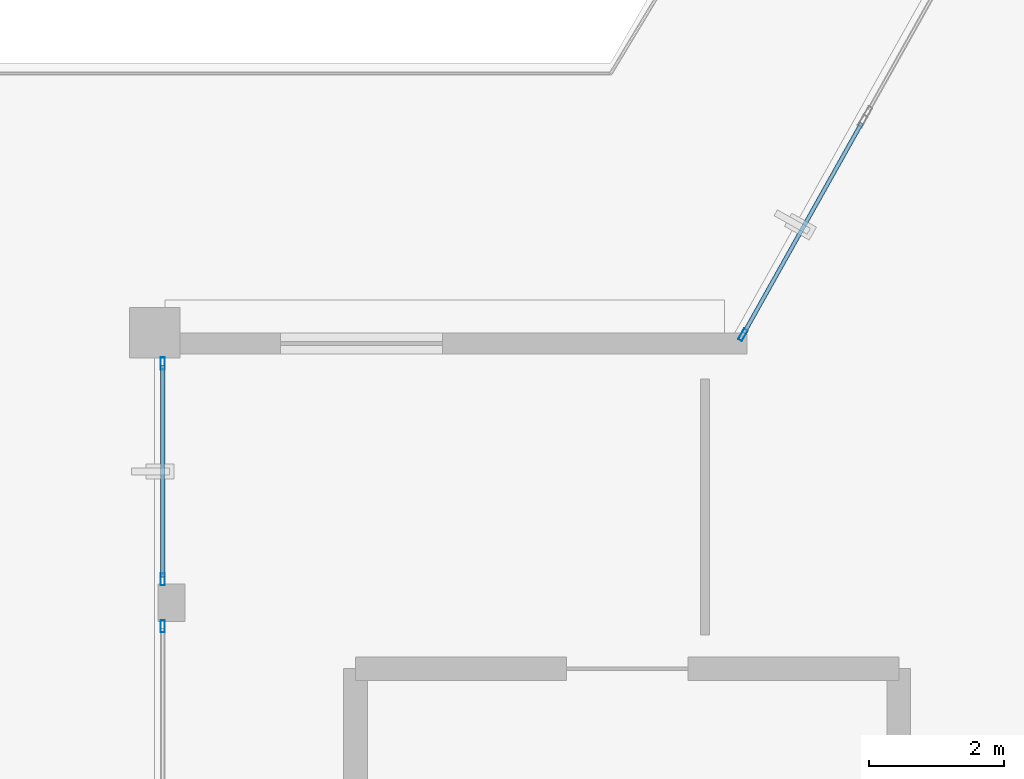
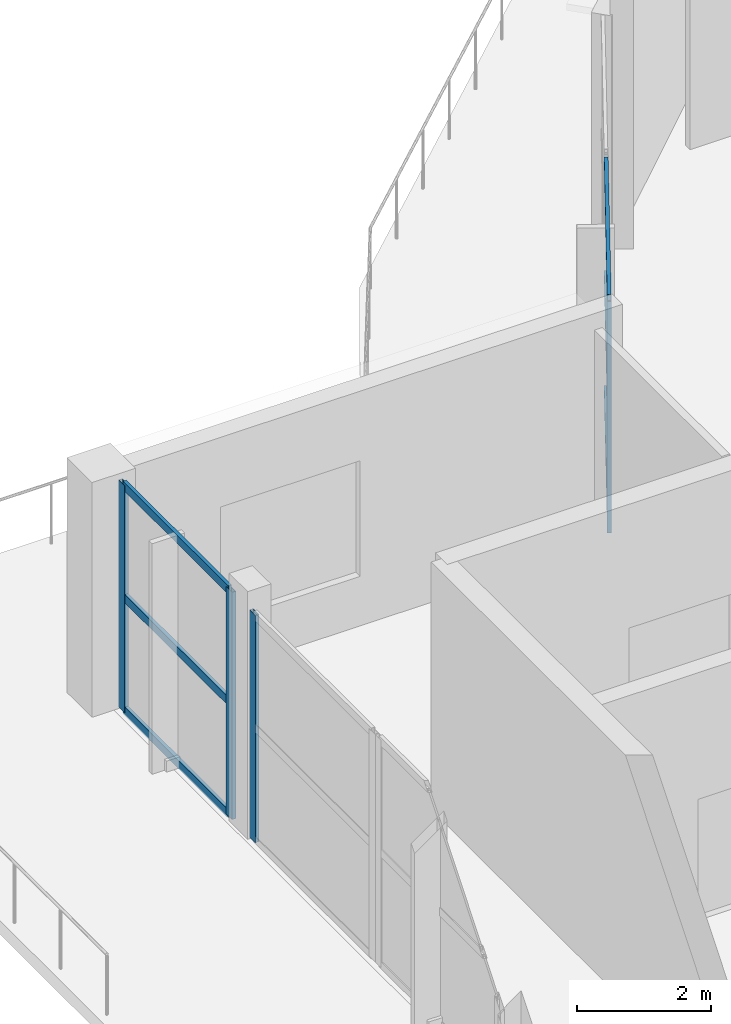
# One storey, part 40 of 123: 10 members, 3 elements without a shape of their own.
"""IFC4 building model written with IfcOpenShell, lengths in metres."""

from ifc_helpers import new_model, si_unit, direction, frame, origin, origin_2d, place, context, subcontext, project, spatial, hollow_rectangle, extrude, material, layer, layer_set, material_profile, profile_set, type_object, element, aggregate, save


model = new_model("IFC4")

# Units and contexts
model_context = context("Model", 3, precision=1e-05, world=origin(), true_north=direction((0.0, 1.0)))
body_context = subcontext(model_context, "Body", "Model", "MODEL_VIEW")
ifc_project = project(units=[si_unit("LENGTHUNIT", "METRE"), si_unit("AREAUNIT", "SQUARE_METRE"), si_unit("VOLUMEUNIT", "CUBIC_METRE"), si_unit("PLANEANGLEUNIT", "RADIAN"), si_unit("MASSUNIT", "GRAM", prefix="KILO")], contexts=[model_context])

# Site, building, storey
site_placement = place(None, origin())
site = spatial("IfcSite", under=ifc_project, at=site_placement, CompositionType="ELEMENT")
building_placement = place(site_placement, origin())
building = spatial("IfcBuilding", under=site, at=building_placement, Name="Kalgoora Escarpment Arena", CompositionType="ELEMENT")
storey_placement = place(building_placement, frame((0.0, 0.0, 9.89990234375)))
storey = spatial("IfcBuildingStorey", under=building, at=storey_placement, Name="L02", CompositionType="ELEMENT", Elevation=9.89990234375)

# Curtain wall, member
ifc_material_1 = material(Name=" Champagne anodised aluminium & double-glazed low-E", Category="aluminium")
ifc_layer_1 = layer(ifc_material_1, 0.162109375)
ifc_layer_set_1 = layer_set([ifc_layer_1], Name="CW-UNIT-08")
curtain_wall_type_1 = type_object("IfcCurtainWallType", Name="CW-UNIT-08", PredefinedType="NOTDEFINED", material=ifc_layer_set_1)
curtain_wall_1_placement = place(storey_placement, origin())
curtain_wall_1 = element("IfcCurtainWall", 1, at=curtain_wall_1_placement, inside=storey, type_object=curtain_wall_type_1, Name="L02 unitised facade curtain wall 067", PredefinedType="NOTDEFINED")
ifc_material_2 = material(Name="Anodised aluminium 6063-T6", Category="aluminium")
ifc_material_profile_1 = material_profile(ifc_material_2, hollow_rectangle(XDim=0.06494140625, YDim=0.179931640625, WallThickness=0.00390625, at=origin_2d()))
ifc_profile_set_1 = profile_set([ifc_material_profile_1], Name="Anodised aluminium 6063-T6")
member_type_1 = type_object("IfcMemberType", Name="MEM-CW-MULL-180", PredefinedType="MULLION", material=ifc_profile_set_1)
member_1_placement = place(storey_placement, frame((8.52001953125, 83.6533203125, 0.02001953125), z_axis=(0.0, 0.0, 1.0), x_axis=(-1.0, 0.0, 0.0)))
member_1 = element("IfcMember", 2, at=member_1_placement, type_object=member_type_1, Name="CW-08 mullion 2", PredefinedType="MULLION", context=body_context, shape_type="SweptSolid", body=[
    extrude(hollow_rectangle(XDim=0.06494140625, YDim=0.179931640625, WallThickness=0.00390625, at=origin_2d()), origin(), (0.0, 0.0, 1.0), 4.130126953125),
])
aggregate(curtain_wall_1, [member_1])

# Curtain wall, members
ifc_material_3 = material(Name=" Champagne anodised aluminium & double-glazed low-E", Category="aluminium")
ifc_layer_2 = layer(ifc_material_3, 0.166015625)
ifc_layer_set_2 = layer_set([ifc_layer_2], Name="CW-UNIT-09")
curtain_wall_type_2 = type_object("IfcCurtainWallType", Name="CW-UNIT-09", PredefinedType="NOTDEFINED", material=ifc_layer_set_2)
curtain_wall_2_placement = place(storey_placement, origin())
curtain_wall_2 = element("IfcCurtainWall", 3, at=curtain_wall_2_placement, inside=storey, type_object=curtain_wall_type_2, Name="L02 unitised facade curtain wall 068", PredefinedType="NOTDEFINED")
member_2_placement = place(storey_placement, frame((8.52001953125, 84.3466796875, 0.02001953125), z_axis=(0.0, 0.0, 1.0), x_axis=(-1.0, 0.0, 0.0)))
member_2 = element("IfcMember", 4, at=member_2_placement, type_object=member_type_1, Name="CW-09 mullion 1", PredefinedType="MULLION", context=body_context, shape_type="SweptSolid", body=[
    extrude(hollow_rectangle(XDim=0.06494140625, YDim=0.179931640625, WallThickness=0.00390625, at=origin_2d()), origin(), (0.0, 0.0, 1.0), 4.130126953125),
])
member_3_placement = place(storey_placement, frame((8.52001953125, 87.54443359375, 0.02001953125), z_axis=(0.0, 0.0, 1.0), x_axis=(-1.0, 0.0, 0.0)))
member_3 = element("IfcMember", 5, at=member_3_placement, type_object=member_type_1, Name="CW-09 mullion 2", PredefinedType="MULLION", context=body_context, shape_type="SweptSolid", body=[
    extrude(hollow_rectangle(XDim=0.06494140625, YDim=0.179931640625, WallThickness=0.00390625, at=origin_2d()), origin(), (0.0, 0.0, 1.0), 4.130126953125),
])

# Curtain wall, member
ifc_material_4 = material(Name=" Champagne anodised aluminium & double-glazed low-E", Category="aluminium")
ifc_layer_3 = layer(ifc_material_4, 0.14990234375)
ifc_layer_set_3 = layer_set([ifc_layer_3], Name="CW-UNIT-10")
curtain_wall_type_3 = type_object("IfcCurtainWallType", Name="CW-UNIT-10", PredefinedType="NOTDEFINED", material=ifc_layer_set_3)
curtain_wall_3_placement = place(storey_placement, origin())
curtain_wall_3 = element("IfcCurtainWall", 6, at=curtain_wall_3_placement, inside=storey, type_object=curtain_wall_type_3, Name="L02 unitised facade curtain wall 069", PredefinedType="NOTDEFINED")
member_4_placement = place(storey_placement, frame((17.114990234375, 87.9697265625, 0.02001953125), z_axis=(0.0, 0.0, 1.0), x_axis=(-0.872362417509, 0.488859706375, 0.0)))
member_4 = element("IfcMember", 7, at=member_4_placement, type_object=member_type_1, Name="CW-10 mullion 1", PredefinedType="MULLION", context=body_context, shape_type="SweptSolid", body=[
    extrude(hollow_rectangle(XDim=0.06494140625, YDim=0.179931640625, WallThickness=0.00390625, at=origin_2d()), origin(), (0.0, 0.0, 1.0), 4.205078125),
])

# Member
ifc_material_5 = material(Name="Anodised aluminium 6063-T6", Category="aluminium")
ifc_material_profile_2 = material_profile(ifc_material_5, hollow_rectangle(XDim=0.06005859375, YDim=0.14990234375, WallThickness=0.00341796875, at=origin_2d()))
ifc_profile_set_2 = profile_set([ifc_material_profile_2], Name="Anodised aluminium 6063-T6")
member_type_2 = type_object("IfcMemberType", Name="MEM-CW-TRAN-150", PredefinedType="USERDEFINED", material=ifc_profile_set_2)
member_5_placement = place(storey_placement, frame((8.52001953125, 84.379150390625, 0.050048828125), z_axis=(0.0, 1.0, 0.0), x_axis=(-1.0, 0.0, 0.0)))
member_5 = element("IfcMember", 8, at=member_5_placement, type_object=member_type_2, Name="CW-09 transom 1.1", ObjectType="TRANSOM", PredefinedType="USERDEFINED", context=body_context, shape_type="SweptSolid", body=[
    extrude(hollow_rectangle(XDim=0.06005859375, YDim=0.14990234375, WallThickness=0.00341796875, at=origin_2d()), origin(), (0.0, 0.0, 1.0), 3.1328125),
])

member_6_placement = place(storey_placement, frame((8.52001953125, 84.379150390625, 2.09521484375), z_axis=(0.0, 1.0, 0.0), x_axis=(-1.0, 0.0, 0.0)))
member_6 = element("IfcMember", 9, at=member_6_placement, type_object=member_type_2, Name="CW-09 transom 1.2", ObjectType="TRANSOM", PredefinedType="USERDEFINED", context=body_context, shape_type="SweptSolid", body=[
    extrude(hollow_rectangle(XDim=0.06005859375, YDim=0.14990234375, WallThickness=0.00341796875, at=origin_2d()), origin(), (0.0, 0.0, 1.0), 3.1328125),
])

member_7_placement = place(storey_placement, frame((8.52001953125, 84.379150390625, 4.1201171875), z_axis=(0.0, 1.0, 0.0), x_axis=(-1.0, 0.0, 0.0)))
member_7 = element("IfcMember", 10, at=member_7_placement, type_object=member_type_2, Name="CW-09 transom 1.3", ObjectType="TRANSOM", PredefinedType="USERDEFINED", context=body_context, shape_type="SweptSolid", body=[
    extrude(hollow_rectangle(XDim=0.06005859375, YDim=0.14990234375, WallThickness=0.00341796875, at=origin_2d()), origin(), (0.0, 0.0, 1.0), 3.1328125),
])

aggregate(curtain_wall_2, [member_2, member_3, member_5, member_6, member_7])

member_8_placement = place(storey_placement, frame((17.130859375, 87.998046875, 0.050048828125), z_axis=(0.488884936306, 0.872348278529, 0.0), x_axis=(-0.872348278529, 0.488884936306, 0.0)))
member_8 = element("IfcMember", 11, at=member_8_placement, type_object=member_type_2, Name="CW-10 transom 1.1", ObjectType="TRANSOM", PredefinedType="USERDEFINED", context=body_context, shape_type="SweptSolid", body=[
    extrude(hollow_rectangle(XDim=0.06005859375, YDim=0.14990234375, WallThickness=0.00341796875, at=origin_2d()), origin(), (0.0, 0.0, 1.0), 3.564208984375),
])

member_9_placement = place(storey_placement, frame((17.130859375, 87.998046875, 2.132568359375), z_axis=(0.488884936306, 0.872348278529, 0.0), x_axis=(-0.872348278529, 0.488884936306, 0.0)))
member_9 = element("IfcMember", 12, at=member_9_placement, type_object=member_type_2, Name="CW-10 transom 1.2", ObjectType="TRANSOM", PredefinedType="USERDEFINED", context=body_context, shape_type="SweptSolid", body=[
    extrude(hollow_rectangle(XDim=0.06005859375, YDim=0.14990234375, WallThickness=0.00341796875, at=origin_2d()), origin(), (0.0, 0.0, 1.0), 3.564208984375),
])

member_10_placement = place(storey_placement, frame((17.130859375, 87.998046875, 4.195068359375), z_axis=(0.488884936306, 0.872348278529, 0.0), x_axis=(-0.872348278529, 0.488884936306, 0.0)))
member_10 = element("IfcMember", 13, at=member_10_placement, type_object=member_type_2, Name="CW-10 transom 1.3", ObjectType="TRANSOM", PredefinedType="USERDEFINED", context=body_context, shape_type="SweptSolid", body=[
    extrude(hollow_rectangle(XDim=0.06005859375, YDim=0.14990234375, WallThickness=0.00341796875, at=origin_2d()), origin(), (0.0, 0.0, 1.0), 3.564208984375),
])

aggregate(curtain_wall_3, [member_4, member_8, member_9, member_10])

save(model, "model.ifc")
